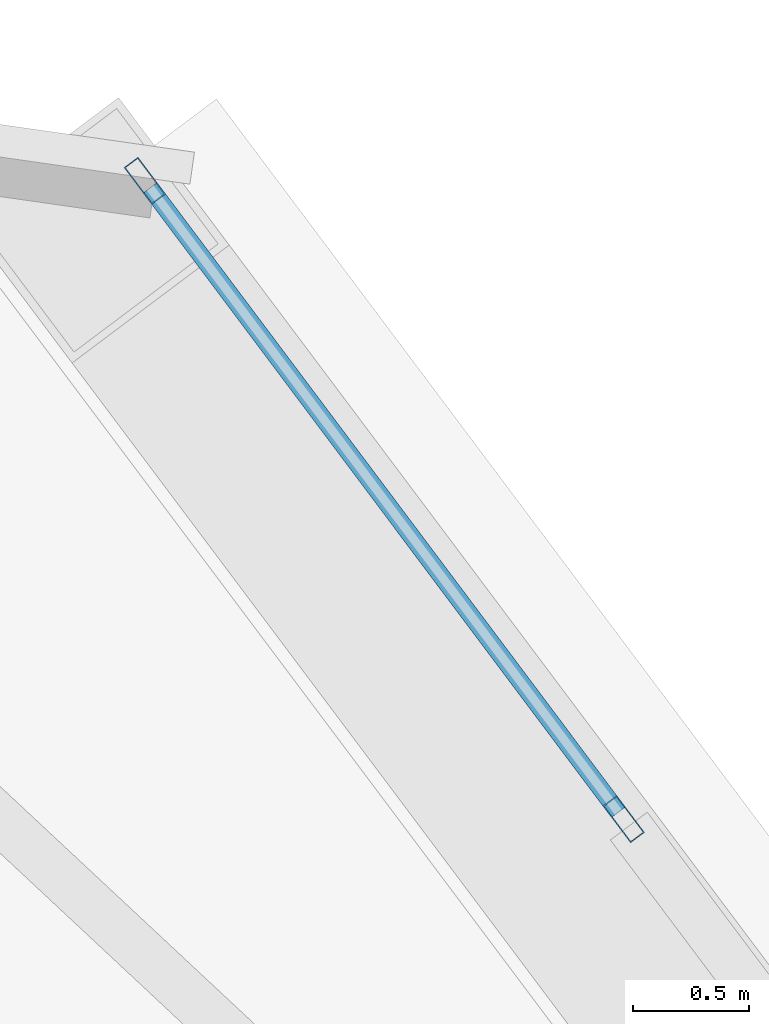
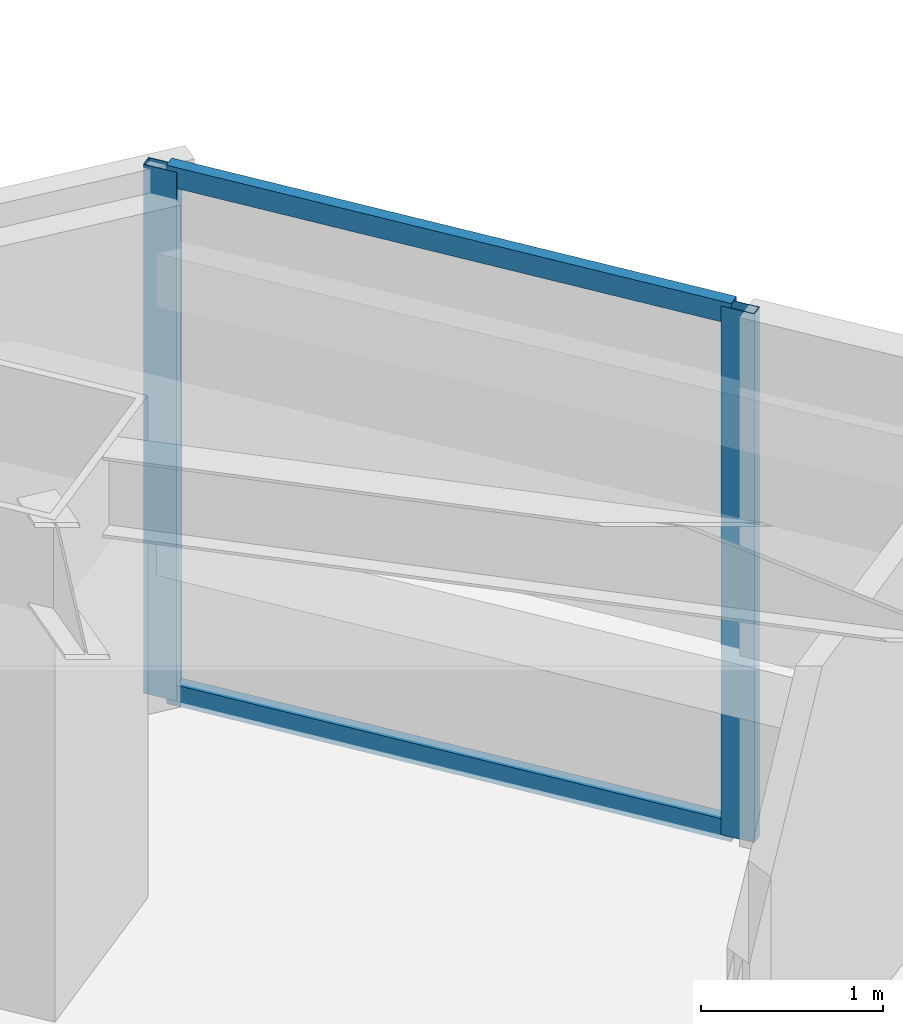
# One storey, part 42 of 54: 4 members, 1 element without a shape of its own.
"""IFC4 building model written with IfcOpenShell, lengths in metres."""

from ifc_helpers import new_model, si_unit, direction, frame, origin, origin_2d, place, context, subcontext, project, spatial, hollow_rectangle, extrude, material, material_profile, profile_set, type_object, element, aggregate, save


model = new_model("IFC4")

# Units and contexts
model_context = context("Model", 3, precision=1e-05, world=origin(), true_north=direction((0.0, 1.0)))
body_context = subcontext(model_context, "Body", "Model", "MODEL_VIEW")
ifc_project = project(units=[si_unit("LENGTHUNIT", "METRE"), si_unit("AREAUNIT", "SQUARE_METRE"), si_unit("VOLUMEUNIT", "CUBIC_METRE"), si_unit("PLANEANGLEUNIT", "RADIAN"), si_unit("MASSUNIT", "GRAM", prefix="KILO")], contexts=[model_context])

# Site, building, storey
site_placement = place(None, origin())
site = spatial("IfcSite", under=ifc_project, at=site_placement, CompositionType="ELEMENT")
building_placement = place(site_placement, origin())
building = spatial("IfcBuilding", under=site, at=building_placement, Name="Tashvorn Skyway Center", CompositionType="ELEMENT")
storey_placement = place(building_placement, frame((0.0, 0.0, 135.699951171875)))
storey = spatial("IfcBuildingStorey", under=building, at=storey_placement, Name="L36", CompositionType="ELEMENT", Elevation=135.699951171875)

# Curtain wall, members
ifc_material = material(Name="Thermally broken bronze-anodized aluminium 6063-T6", Category="aluminium")
curtain_wall_type = type_object("IfcCurtainWallType", Name="CW-CW-Z3", PredefinedType="NOTDEFINED", material=ifc_material)
curtain_wall_placement = place(storey_placement, origin())
curtain_wall = element("IfcCurtainWall", 1, at=curtain_wall_placement, inside=storey, type_object=curtain_wall_type, Name="Tower 2 L36 East Unitised Curtain Wall Glazing Group 1", PredefinedType="NOTDEFINED")
ifc_material_profile_1 = material_profile(ifc_material, hollow_rectangle(XDim=0.074951171875, YDim=0.199951171875, WallThickness=0.00439453125, at=origin_2d()), Name="ALU-MULL-75x200")
ifc_profile_set_1 = profile_set([ifc_material_profile_1], Name="Thermally broken bronze-anodized aluminium 6063-T6")
member_type_1 = type_object("IfcMemberType", Name="CWM-CW-Z3", PredefinedType="MULLION", material=ifc_profile_set_1)
member_1_placement = place(storey_placement, frame((119.118408203125, 55.64208984375, 0.0), z_axis=(0.0, 0.0, 1.0), x_axis=(0.800003400519, 0.599995465948, 0.0)))
member_1 = element("IfcMember", 2, at=member_1_placement, type_object=member_type_1, Name="CW-Z3 mullion 1", PredefinedType="MULLION", context=body_context, shape_type="SweptSolid", body=[
    extrude(hollow_rectangle(XDim=0.074951171875, YDim=0.199951171875, WallThickness=0.00439453125, at=origin_2d()), origin(), (0.0, 0.0, 1.0), 3.550048828125),
])
member_2_placement = place(storey_placement, frame((121.19091796875, 52.87890625, 0.0), z_axis=(0.0, 0.0, 1.0), x_axis=(0.800003400519, 0.599995465948, 0.0)))
member_2 = element("IfcMember", 3, at=member_2_placement, type_object=member_type_1, Name="CW-Z3 mullion 2", PredefinedType="MULLION", context=body_context, shape_type="SweptSolid", body=[
    extrude(hollow_rectangle(XDim=0.074951171875, YDim=0.199951171875, WallThickness=0.00439453125, at=origin_2d()), origin(), (0.0, 0.0, 1.0), 3.550048828125),
])
ifc_material_profile_2 = material_profile(ifc_material, hollow_rectangle(XDim=0.074951171875, YDim=0.139892578125, WallThickness=0.004150390625, at=origin_2d()), Name="ALU-TRAN-75x140")
ifc_profile_set_2 = profile_set([ifc_material_profile_2], Name="Thermally broken bronze-anodized aluminium 6063-T6")
member_type_2 = type_object("IfcMemberType", Name="CWT-CW-Z3", PredefinedType="USERDEFINED", material=ifc_profile_set_2)
member_3_placement = place(storey_placement, frame((119.14111328125, 55.612060546875, 0.03759765625), z_axis=(0.599953754218, -0.800034682248, 0.0), x_axis=(0.800034682248, 0.599953754218, 0.0)))
member_3 = element("IfcMember", 4, at=member_3_placement, type_object=member_type_2, Name="CW-Z3 transom 1.1", ObjectType="TRANSOM", PredefinedType="USERDEFINED", context=body_context, shape_type="SweptSolid", body=[
    extrude(hollow_rectangle(XDim=0.074951171875, YDim=0.139892578125, WallThickness=0.004150390625, at=origin_2d()), origin(), (0.0, 0.0, 1.0), 3.378662109375),
])
member_4_placement = place(storey_placement, frame((119.14111328125, 55.612060546875, 3.512451171875), z_axis=(0.599953754218, -0.800034682248, 0.0), x_axis=(0.800034682248, 0.599953754218, 0.0)))
member_4 = element("IfcMember", 5, at=member_4_placement, type_object=member_type_2, Name="CW-Z3 transom 1.2", ObjectType="TRANSOM", PredefinedType="USERDEFINED", context=body_context, shape_type="SweptSolid", body=[
    extrude(hollow_rectangle(XDim=0.074951171875, YDim=0.139892578125, WallThickness=0.004150390625, at=origin_2d()), origin(), (0.0, 0.0, 1.0), 3.378662109375),
])
aggregate(curtain_wall, [member_1, member_2, member_3, member_4])

save(model, "model.ifc")
